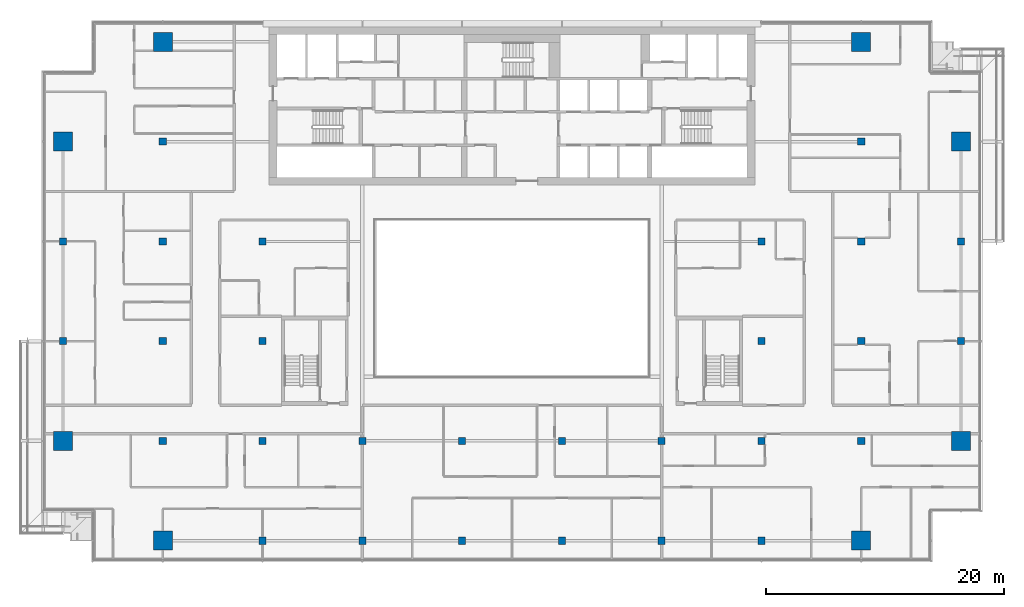
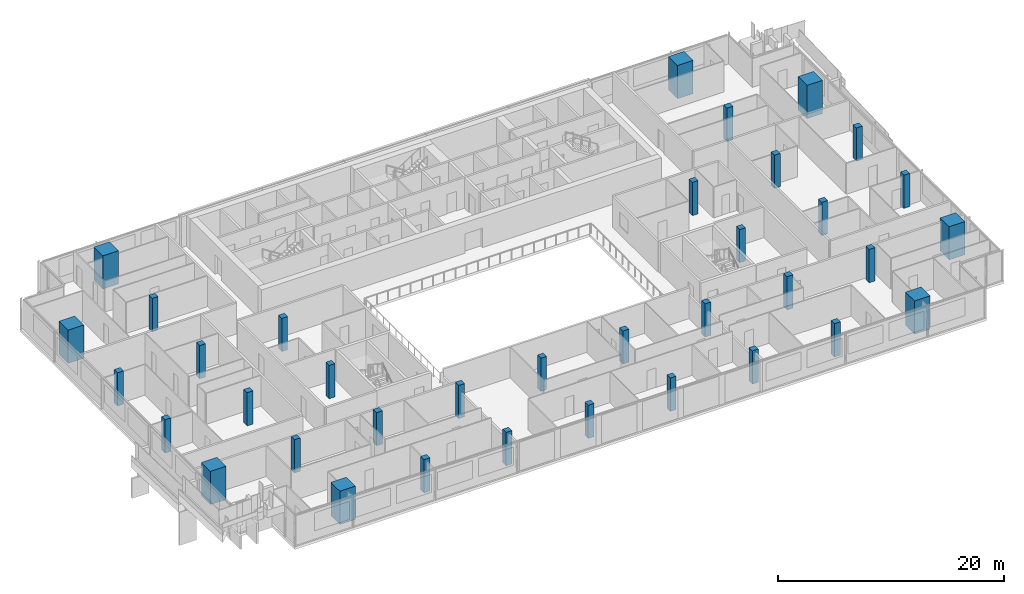
# One storey, part 1 of 30: 36 columns.
"""IFC4 building model written with IfcOpenShell, lengths in metres."""

import ifcopenshell
import ifcopenshell.guid

model = None  # the IFC model being written
_history = None  # IfcOwnerHistory: only IFC2X3 demands one
_inside = {}  # id of a spatial element -> (the spatial element, [elements in it])
_under = {}  # id of a project, library or spatial element -> (it, [spatial elements below it])
_declared = {}  # id of a project -> (the project, [libraries it declares])
_typed = {}  # id of a type object -> (the type object, [elements of that type])
_made_of = {}  # id of a material, layer set ... -> (it, [elements and type objects made of it])


def new_model(schema):
    """Start an empty IFC model of exactly this schema.

    Asked for "IFC4X3", IfcOpenShell would pick the latest addendum, in which some entities
    have other attributes; the version numbers below select the first issue.
    IFC2X3 requires an IfcOwnerHistory on every rooted entity: one is made here for all.
    """
    global model, _history
    if schema == "IFC4X3":
        model = ifcopenshell.file(schema_version=(4, 3, 0, 0))
    else:
        model = ifcopenshell.file(schema=schema)
    _inside.clear()
    _under.clear()
    _declared.clear()
    _typed.clear()
    _made_of.clear()
    _history = None
    if model.schema == "IFC2X3":
        org = make("IfcOrganization", Name="unknown")
        user = make(
            "IfcPersonAndOrganization",
            ThePerson=make("IfcPerson", FamilyName="unknown"),
            TheOrganization=org,
        )
        app = make(
            "IfcApplication",
            ApplicationDeveloper=org,
            Version="unknown",
            ApplicationFullName="unknown",
            ApplicationIdentifier="unknown",
        )
        _history = make(
            "IfcOwnerHistory",
            OwningUser=user,
            OwningApplication=app,
            ChangeAction="ADDED",
            CreationDate=0,
        )
    return model


def make(cls, **values):
    """One entity of the class cls with the attributes given. An attribute that is None is left unset."""
    return model.create_entity(
        cls, **{name: value for name, value in values.items() if value is not None}
    )


def rooted(cls, **values):
    """An entity with a GlobalId (a new one), such as an element, a storey or a relation."""
    return make(cls, GlobalId=ifcopenshell.guid.new(), OwnerHistory=_history, **values)


def si_unit(unit_type, name, prefix=None):
    """IfcSIUnit, for example si_unit("LENGTHUNIT", "METRE", prefix="MILLI")."""
    return make("IfcSIUnit", UnitType=unit_type, Prefix=prefix, Name=name)


def assignment(units):
    """IfcUnitAssignment: the units of a project."""
    return None if units is None else make("IfcUnitAssignment", Units=units)


def point(xyz):
    """IfcCartesianPoint."""
    return None if xyz is None else make("IfcCartesianPoint", Coordinates=xyz)


def direction(xyz):
    """IfcDirection."""
    return None if xyz is None else make("IfcDirection", DirectionRatios=xyz)


def frame(location, z_axis=None, x_axis=None):
    """IfcAxis2Placement3D, a coordinate frame: its origin and axes. An axis left out is left unset."""
    return make(
        "IfcAxis2Placement3D",
        Location=point(location),
        Axis=direction(z_axis),
        RefDirection=direction(x_axis),
    )


def frame_2d(location, x_axis=None):
    """IfcAxis2Placement2D, a coordinate frame in the plane: its origin and x axis."""
    return make(
        "IfcAxis2Placement2D", Location=point(location), RefDirection=direction(x_axis)
    )


def origin():
    """The frame at (0, 0, 0) with its axes left unset."""
    return frame((0.0, 0.0, 0.0))


def origin_2d():
    """The frame at (0, 0) in the plane with its x axis left unset."""
    return frame_2d((0.0, 0.0))


def place(relative_to, where):
    """IfcLocalPlacement: puts the frame where relative to a parent placement (None: the world)."""
    return make(
        "IfcLocalPlacement", PlacementRelTo=relative_to, RelativePlacement=where
    )


def context(
    kind, dimensions, precision=None, world=None, true_north=None, identifier=None
):
    """IfcGeometricRepresentationContext, for example the 3D "Model" context."""
    return make(
        "IfcGeometricRepresentationContext",
        ContextIdentifier=identifier,
        ContextType=kind,
        CoordinateSpaceDimension=dimensions,
        Precision=precision,
        WorldCoordinateSystem=world,
        TrueNorth=true_north,
    )


def subcontext(parent, identifier, kind, view, scale=None):
    """IfcGeometricRepresentationSubContext, for example "Body" below "Model"."""
    return make(
        "IfcGeometricRepresentationSubContext",
        ContextIdentifier=identifier,
        ContextType=kind,
        ParentContext=parent,
        TargetScale=scale,
        TargetView=view,
    )


def project(units=None, contexts=None):
    """IfcProject with its units and contexts."""
    return rooted(
        "IfcProject",
        Name="project",
        RepresentationContexts=contexts,
        UnitsInContext=assignment(units),
    )


def spatial(cls, under=None, at=None, **own):
    """A site, building, storey or space (cls), placed at a placement, below another one or the project."""
    s = rooted(cls, ObjectPlacement=at, **own)
    if under is not None:
        _under.setdefault(under.id(), (under, []))[1].append(s)
    return s


def profile(cls, at=None, kind="AREA", **sizes):
    """A parametric profile (cls). Its sizes go by their IFC names, for example OverallWidth=200.0."""
    return make(cls, ProfileType=kind, Position=at, **sizes)


def rectangle(**sizes):
    """IfcRectangleProfileDef."""
    return profile("IfcRectangleProfileDef", **sizes)


def extrude(swept, where, along, depth):
    """IfcExtrudedAreaSolid: the profile swept, set in the frame where, extruded along a direction by depth."""
    return make(
        "IfcExtrudedAreaSolid",
        SweptArea=swept,
        Position=where,
        ExtrudedDirection=direction(along),
        Depth=depth,
    )


def shape(context_of_items, identifier, shape_type, items):
    """IfcShapeRepresentation: the items that make up one representation, for example the "Body"."""
    return make(
        "IfcShapeRepresentation",
        ContextOfItems=context_of_items,
        RepresentationIdentifier=identifier,
        RepresentationType=shape_type,
        Items=items,
    )


def material(Name=None, Category=None):
    """IfcMaterial."""
    return make("IfcMaterial", Name=Name, Category=Category)


def material_profile(
    of_material, cross_section, Name=None, Category=None, Priority=None
):
    """IfcMaterialProfile: a cross section and its material."""
    return make(
        "IfcMaterialProfile",
        Name=Name,
        Material=of_material,
        Profile=cross_section,
        Priority=Priority,
        Category=Category,
    )


def profile_set(profiles, Name=None, composite=None):
    """IfcMaterialProfileSet."""
    return make(
        "IfcMaterialProfileSet",
        Name=Name,
        MaterialProfiles=profiles,
        CompositeProfile=composite,
    )


def made_of(thing, what):
    """Note that an element or type object is made of a material, layer set ...; save() writes the relation."""
    if what is not None:
        _made_of.setdefault(what.id(), (what, []))[1].append(thing)
    return thing


def type_object(cls, material=None, **own):
    """A type object (cls), such as IfcWallType, which elements share."""
    return made_of(rooted(cls, **own), material)


def element(
    cls,
    number,
    at=None,
    inside=None,
    cuts=None,
    type_object=None,
    material=None,
    context=None,
    identifier="Body",
    shape_type=None,
    held_by="IfcProductDefinitionShape",
    body=None,
    shapes=None,
    **own,
):
    """One element of the class cls, such as IfcWall. Its Tag is "e" and its number.

    at: its placement. inside: the storey or other place that contains it. cuts: it is an
    opening in that element (IfcRelVoidsElement). A single representation is given by context,
    identifier, shape_type and body (its items); several are given by shapes. held_by: the class
    of the entity that holds the representations. save() writes the other relations.
    """
    e = rooted(cls, Tag="e%d" % number, ObjectPlacement=at, **own)
    if body is not None:
        shapes = [shape(context, identifier, shape_type, body)]
    if shapes is not None:
        e.Representation = make(held_by, Representations=shapes)
    if inside is not None:
        _inside.setdefault(inside.id(), (inside, []))[1].append(e)
    if cuts is not None:
        rooted(
            "IfcRelVoidsElement", RelatingBuildingElement=cuts, RelatedOpeningElement=e
        )
    if type_object is not None:
        _typed.setdefault(type_object.id(), (type_object, []))[1].append(e)
    return made_of(e, material)


def aggregate(whole, parts):
    """IfcRelAggregates: a whole, such as a stair, and the parts it consists of."""
    return rooted("IfcRelAggregates", RelatingObject=whole, RelatedObjects=parts)


def save(model, path):
    """Write the relations noted so far, then the file.

    IfcRelAggregates (storeys below a building ...), IfcRelContainedInSpatialStructure (elements
    in a storey), IfcRelDefinesByType, IfcRelAssociatesMaterial and IfcRelDeclares: one each for
    every whole, place, type object, material and project.
    """
    for whole, parts in _under.values():
        aggregate(whole, parts)
    for where, things in _inside.values():
        rooted(
            "IfcRelContainedInSpatialStructure",
            RelatedElements=things,
            RelatingStructure=where,
        )
    for kind, things in _typed.values():
        rooted("IfcRelDefinesByType", RelatedObjects=things, RelatingType=kind)
    for what, things in _made_of.values():
        rooted("IfcRelAssociatesMaterial", RelatedObjects=things, RelatingMaterial=what)
    for by, libraries in _declared.values():
        rooted("IfcRelDeclares", RelatingContext=by, RelatedDefinitions=libraries)
    model.write(path)


model = new_model("IFC4")

# Units and contexts
model_context = context("Model", 3, precision=1e-05, world=origin(), true_north=direction((0.0, 1.0)))
body_context = subcontext(model_context, "Body", "Model", "MODEL_VIEW")
ifc_project = project(units=[si_unit("LENGTHUNIT", "METRE"), si_unit("AREAUNIT", "SQUARE_METRE"), si_unit("VOLUMEUNIT", "CUBIC_METRE"), si_unit("PLANEANGLEUNIT", "RADIAN"), si_unit("MASSUNIT", "GRAM", prefix="KILO")], contexts=[model_context])

# Site, building, storey
site_placement = place(None, origin())
site = spatial("IfcSite", under=ifc_project, at=site_placement, CompositionType="ELEMENT")
building_placement = place(site_placement, origin())
building = spatial("IfcBuilding", under=site, at=building_placement, Name="Saffron Gate Tower", CompositionType="ELEMENT")
storey_placement = place(building_placement, frame((0.0, 0.0, 245.10009765625)))
storey = spatial("IfcBuildingStorey", under=building, at=storey_placement, Name="L60", CompositionType="ELEMENT", Elevation=245.10009765625)

# Columns
ifc_material_1 = material(Name="Concrete C50", Category="concrete")
ifc_material_profile_1 = material_profile(ifc_material_1, rectangle(XDim=0.60009765625, YDim=0.60009765625, at=origin_2d()))
ifc_profile_set_1 = profile_set([ifc_material_profile_1], Name="Concrete C50")
column_type_1 = type_object("IfcColumnType", Name="C2 RC 600x600 CONCRETE C50", PredefinedType="COLUMN", material=ifc_profile_set_1)
for number, where, z_axis, x_axis, name in (
    (1, (49.800048828125, 48.60009765625, 0.0), (0.0, 0.0, 1.0), (1.0, 0.0, 0.0), "C2 COLUMN X1-C"),
    (2, (49.800048828125, 57.0, 0.0), (0.0, 0.0, 1.0), (1.0, 0.0, 0.0), "C2 COLUMN X1-D"),
    (3, (58.199951171875, 40.199951171875, 0.0), (0.0, 0.0, 1.0), (1.0, 0.0, 0.0), "C2 COLUMN X2-B"),
    (4, (58.199951171875, 48.60009765625, 0.0), (0.0, 0.0, 1.0), (1.0, 0.0, 0.0), "C2 COLUMN X2-C"),
    (5, (58.199951171875, 57.0, 0.0), (0.0, 0.0, 1.0), (1.0, 0.0, 0.0), "C2 COLUMN X2-D"),
    (6, (58.199951171875, 65.39990234375, 0.0), (0.0, 0.0, 1.0), (1.0, 0.0, 0.0), "C2 COLUMN X2-E"),
    (7, (66.60009765625, 31.800048828125, 0.0), (0.0, 0.0, 1.0), (1.0, 0.0, 0.0), "C2 COLUMN X3-A"),
    (8, (66.60009765625, 40.199951171875, 0.0), (0.0, 0.0, 1.0), (1.0, 0.0, 0.0), "C2 COLUMN X3-B"),
    (9, (66.60009765625, 48.60009765625, 0.0), (0.0, 0.0, 1.0), (1.0, 0.0, 0.0), "C2 COLUMN X3-C"),
    (10, (66.60009765625, 57.0, 0.0), (0.0, 0.0, 1.0), (1.0, 0.0, 0.0), "C2 COLUMN X3-D"),
    (11, (75.0, 31.800048828125, 0.0), (0.0, 0.0, 1.0), (1.0, 0.0, 0.0), "C2 COLUMN X4-A"),
    (12, (75.0, 40.199951171875, 0.0), (0.0, 0.0, 1.0), (1.0, 0.0, 0.0), "C2 COLUMN X4-B"),
    (13, (83.39990234375, 31.800048828125, 0.0), (0.0, 0.0, 1.0), (1.0, 0.0, 0.0), "C2 COLUMN X5-A"),
    (14, (83.39990234375, 40.199951171875, 0.0), (0.0, 0.0, 1.0), (1.0, 0.0, 0.0), "C2 COLUMN X5-B"),
    (15, (91.800048828125, 31.800048828125, 0.0), (0.0, 0.0, 1.0), (1.0, 0.0, 0.0), "C2 COLUMN X6-A"),
    (16, (91.800048828125, 40.199951171875, 0.0), (0.0, 0.0, 1.0), (1.0, 0.0, 0.0), "C2 COLUMN X6-B"),
    (17, (100.199951171875, 31.800048828125, 0.0), (0.0, 0.0, 1.0), (1.0, 0.0, 0.0), "C2 COLUMN X7-A"),
    (18, (100.199951171875, 40.199951171875, 0.0), (0.0, 0.0, 1.0), (1.0, 0.0, 0.0), "C2 COLUMN X7-B"),
    (19, (108.60009765625, 31.800048828125, 0.0), (0.0, 0.0, 1.0), (1.0, 0.0, 0.0), "C2 COLUMN X8-A"),
    (20, (108.60009765625, 40.199951171875, 0.0), (0.0, 0.0, 1.0), (1.0, 0.0, 0.0), "C2 COLUMN X8-B"),
    (21, (108.60009765625, 48.60009765625, 0.0), (0.0, 0.0, 1.0), (1.0, 0.0, 0.0), "C2 COLUMN X8-C"),
    (22, (108.60009765625, 57.0, 0.0), (0.0, 0.0, 1.0), (1.0, 0.0, 0.0), "C2 COLUMN X8-D"),
    (23, (117.0, 40.199951171875, 0.0), (0.0, 0.0, 1.0), (1.0, 0.0, 0.0), "C2 COLUMN X9-B"),
    (24, (117.0, 48.60009765625, 0.0), (0.0, 0.0, 1.0), (1.0, 0.0, 0.0), "C2 COLUMN X9-C"),
    (25, (117.0, 57.0, 0.0), (0.0, 0.0, 1.0), (1.0, 0.0, 0.0), "C2 COLUMN X9-D"),
    (26, (117.0, 65.39990234375, 0.0), (0.0, 0.0, 1.0), (1.0, 0.0, 0.0), "C2 COLUMN X9-E"),
    (27, (125.39990234375, 48.60009765625, 0.0), (0.0, 0.0, 1.0), (1.0, 0.0, 0.0), "C2 COLUMN X10-C"),
    (28, (125.39990234375, 57.0, 0.0), (0.0, 0.0, 1.0), (1.0, 0.0, 0.0), "C2 COLUMN X10-D"),
):
    element("IfcColumn", number, at=place(storey_placement, frame(where, z_axis=z_axis, x_axis=x_axis)), inside=storey, type_object=column_type_1, Name=name, PredefinedType="COLUMN", context=body_context, shape_type="SweptSolid", body=[
        extrude(rectangle(XDim=0.60009765625, YDim=0.60009765625, at=origin_2d()), origin(), (0.0, 0.0, 1.0), 3.599853515625),
    ])
ifc_material_2 = material(Name="Concrete C70", Category="concrete")
ifc_material_profile_2 = material_profile(ifc_material_2, rectangle(XDim=1.60009765625, YDim=1.60009765625, at=origin_2d()))
ifc_profile_set_2 = profile_set([ifc_material_profile_2], Name="Concrete C70")
column_type_2 = type_object("IfcColumnType", Name="MC1 RC 1600x1600 CONCRETE C70", PredefinedType="COLUMN", material=ifc_profile_set_2)
for number, where, z_axis, x_axis, name in (
    (29, (49.800048828125, 40.199951171875, 0.0), (0.0, 0.0, 1.0), (1.0, 0.0, 0.0), "MC1 MEGA COLUMN X1-B"),
    (30, (49.800048828125, 65.39990234375, 0.0), (0.0, 0.0, 1.0), (1.0, 0.0, 0.0), "MC1 MEGA COLUMN X1-E"),
    (31, (58.199951171875, 31.800048828125, 0.0), (0.0, 0.0, 1.0), (1.0, 0.0, 0.0), "MC1 MEGA COLUMN X2-A"),
    (32, (58.199951171875, 73.800048828125, 0.0), (0.0, 0.0, 1.0), (1.0, 0.0, 0.0), "MC1 MEGA COLUMN X2-F"),
    (33, (117.0, 31.800048828125, 0.0), (0.0, 0.0, 1.0), (1.0, 0.0, 0.0), "MC1 MEGA COLUMN X9-A"),
    (34, (117.0, 73.800048828125, 0.0), (0.0, 0.0, 1.0), (1.0, 0.0, 0.0), "MC1 MEGA COLUMN X9-F"),
    (35, (125.39990234375, 40.199951171875, 0.0), (0.0, 0.0, 1.0), (1.0, 0.0, 0.0), "MC1 MEGA COLUMN X10-B"),
    (36, (125.39990234375, 65.39990234375, 0.0), (0.0, 0.0, 1.0), (1.0, 0.0, 0.0), "MC1 MEGA COLUMN X10-E"),
):
    element("IfcColumn", number, at=place(storey_placement, frame(where, z_axis=z_axis, x_axis=x_axis)), inside=storey, type_object=column_type_2, Name=name, PredefinedType="COLUMN", context=body_context, shape_type="SweptSolid", body=[
        extrude(rectangle(XDim=1.60009765625, YDim=1.60009765625, at=origin_2d()), origin(), (0.0, 0.0, 1.0), 3.599853515625),
    ])

save(model, "model.ifc")
